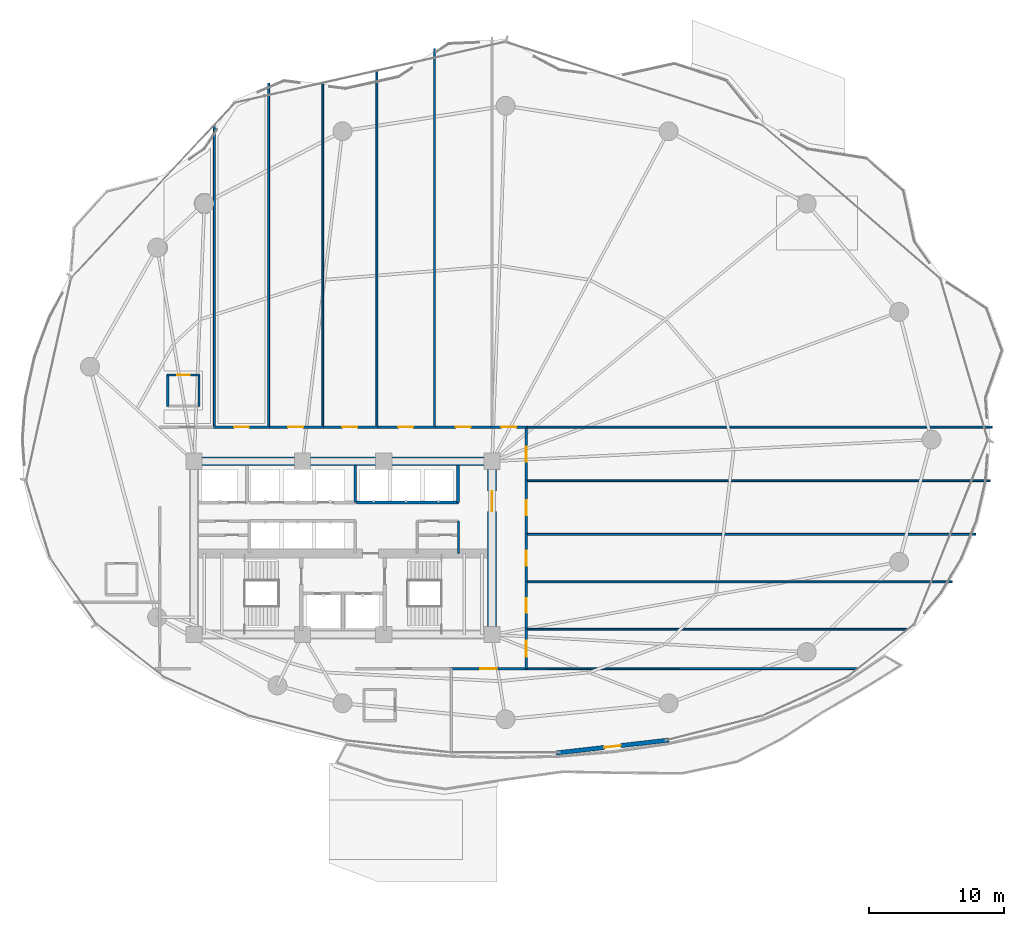
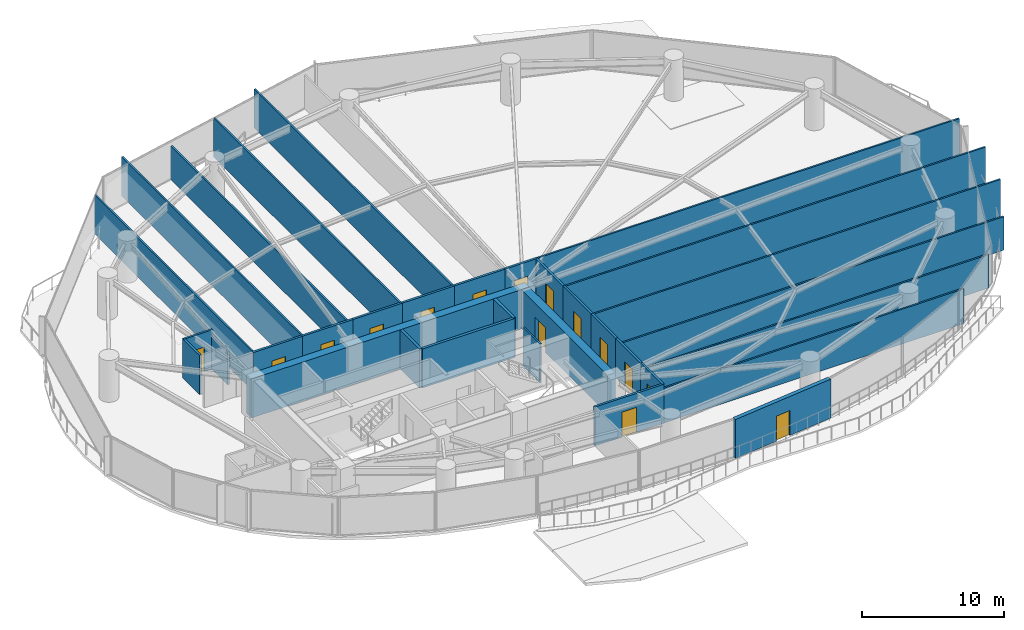
# One storey, part 26 of 32: 33 walls, 15 doors, 15 openings.
"""IFC4 building model written with IfcOpenShell, lengths in metres."""

from ifc_helpers import new_model, si_unit, direction, frame, frame_2d, origin, place, context, subcontext, project, spatial, rectangle, extrude, material, layer, layer_set, type_object, element, fill, save


model = new_model("IFC4")

# Units and contexts
model_context = context("Model", 3, precision=1e-05, world=origin(), true_north=direction((0.0, 1.0)))
body_context = subcontext(model_context, "Body", "Model", "MODEL_VIEW")
ifc_project = project(units=[si_unit("LENGTHUNIT", "METRE"), si_unit("AREAUNIT", "SQUARE_METRE"), si_unit("VOLUMEUNIT", "CUBIC_METRE"), si_unit("PLANEANGLEUNIT", "RADIAN"), si_unit("MASSUNIT", "GRAM", prefix="KILO")], contexts=[model_context])

# Site, building, storey
site_placement = place(None, origin())
site = spatial("IfcSite", under=ifc_project, at=site_placement, CompositionType="ELEMENT")
building_placement = place(site_placement, origin())
building = spatial("IfcBuilding", under=site, at=building_placement, Name="Kazevale Care Tower and Concert Hall", CompositionType="ELEMENT")
storey_placement = place(building_placement, frame((0.0, 0.0, 24.0)))
storey = spatial("IfcBuildingStorey", under=building, at=storey_placement, Name="L05", CompositionType="ELEMENT", Elevation=24.0)

# Walls
ifc_material_1 = material(Name="Acoustic Gypsum on Steel Stud", Category="steel")
ifc_layer_1 = layer(ifc_material_1, 0.139892578125)
ifc_layer_set_1 = layer_set([ifc_layer_1], Name="Acoustic Gypsum on Steel Stud")
wall_type_1 = type_object("IfcWallType", Name="Acoustic Care & Suite Partition 140", PredefinedType="PARTITIONING", material=ifc_layer_set_1)
wall_1_placement = place(storey_placement, frame((41.52001953125, 29.6201171875, 0.0), z_axis=(0.0, 0.0, 1.0), x_axis=(0.0, 1.0, 0.0)))
element("IfcWall", 1, at=wall_1_placement, inside=storey, type_object=wall_type_1, Name="wall:L05:kc_ee", PredefinedType="PARTITIONING", context=body_context, shape_type="SweptSolid", body=[
    extrude(rectangle(XDim=2.35986328125, YDim=0.139892578125, at=frame_2d((1.179931640625, 0.0))), origin(), (0.0, 0.0, 1.0), 3.360107421875),
])
wall_2_placement = place(storey_placement, frame((23.5, 61.2236328125, 0.0), z_axis=(0.0, 0.0, 1.0), x_axis=(0.0, -1.0, 0.0)))
element("IfcWall", 2, at=wall_2_placement, inside=storey, type_object=wall_type_1, Name="wall:L05:auto_018", PredefinedType="PARTITIONING", context=body_context, shape_type="SweptSolid", body=[
    extrude(rectangle(XDim=22.32861328125, YDim=0.139892578125, at=frame_2d((11.164306640625, 0.0))), origin(), (0.0, 0.0, 1.0), 3.360107421875),
])
wall_3_placement = place(storey_placement, frame((27.5, 64.322998046875, 0.0), z_axis=(0.0, 0.0, 1.0), x_axis=(0.0, -1.0, 0.0)))
element("IfcWall", 3, at=wall_3_placement, inside=storey, type_object=wall_type_1, Name="wall:L05:auto_019", PredefinedType="PARTITIONING", context=body_context, shape_type="SweptSolid", body=[
    extrude(rectangle(XDim=25.427978515625, YDim=0.139892578125, at=frame_2d((12.7138671875, 0.0))), origin(), (0.0, 0.0, 1.0), 3.360107421875),
])
wall_4_placement = place(storey_placement, frame((31.5, 64.323974609375, 0.0), z_axis=(0.0, 0.0, 1.0), x_axis=(0.0, -1.0, 0.0)))
element("IfcWall", 4, at=wall_4_placement, inside=storey, type_object=wall_type_1, Name="wall:L05:auto_020", PredefinedType="PARTITIONING", context=body_context, shape_type="SweptSolid", body=[
    extrude(rectangle(XDim=25.428955078125, YDim=0.139892578125, at=frame_2d((12.71435546875, 0.0))), origin(), (0.0, 0.0, 1.0), 2.889892578125),
])
wall_5_placement = place(storey_placement, frame((35.5, 65.2255859375, 0.0), z_axis=(0.0, 0.0, 1.0), x_axis=(0.0, -1.0, 0.0)))
element("IfcWall", 5, at=wall_5_placement, inside=storey, type_object=wall_type_1, Name="wall:L05:auto_021", PredefinedType="PARTITIONING", context=body_context, shape_type="SweptSolid", body=[
    extrude(rectangle(XDim=26.33056640625, YDim=0.139892578125, at=frame_2d((13.165283203125, 0.0))), origin(), (0.0, 0.0, 1.0), 3.360107421875),
])
wall_6_placement = place(storey_placement, frame((39.75, 66.85693359375, 0.0), z_axis=(0.0, 0.0, 1.0), x_axis=(0.0, -1.0, 0.0)))
element("IfcWall", 6, at=wall_6_placement, inside=storey, type_object=wall_type_1, Name="wall:L05:auto_022", PredefinedType="PARTITIONING", context=body_context, shape_type="SweptSolid", body=[
    extrude(rectangle(XDim=27.9619140625, YDim=0.139892578125, at=frame_2d((13.98095703125, 0.0))), origin(), (0.0, 0.0, 1.0), 3.360107421875),
])
wall_7_placement = place(storey_placement, frame((80.931884765625, 38.925048828125, 0.0), z_axis=(0.0, 0.0, 1.0), x_axis=(-1.0, 0.0, 0.0)))
element("IfcWall", 7, at=wall_7_placement, inside=storey, type_object=wall_type_1, Name="wall:L05:auto_024", PredefinedType="PARTITIONING", context=body_context, shape_type="SweptSolid", body=[
    extrude(rectangle(XDim=34.471923828125, YDim=0.139892578125, at=frame_2d((17.23583984375, 0.0))), origin(), (0.0, 0.0, 1.0), 3.360107421875),
])
wall_8_placement = place(storey_placement, frame((46.4951171875, 24.0, 0.0), z_axis=(0.0, 0.0, 1.0), x_axis=(1.0, 0.0, 0.0)))
element("IfcWall", 8, at=wall_8_placement, inside=storey, type_object=wall_type_1, Name="wall:L05:auto_025", PredefinedType="PARTITIONING", context=body_context, shape_type="SweptSolid", body=[
    extrude(rectangle(XDim=28.213623046875, YDim=0.139892578125, at=frame_2d((14.10693359375, 0.0))), origin(), (0.0, 0.0, 1.0), 2.889892578125),
])
wall_9_placement = place(storey_placement, frame((71.0107421875, 21.094482421875, 0.0), z_axis=(0.0, 0.0, 1.0), x_axis=(-0.999999682646, -0.000796685534, 0.0)))
element("IfcWall", 9, at=wall_9_placement, inside=storey, type_object=wall_type_1, Name="wall:L05:auto_026", PredefinedType="PARTITIONING", context=body_context, shape_type="SweptSolid", body=[
    extrude(rectangle(XDim=24.515625, YDim=0.139892578125, at=frame_2d((12.2578125, 0.0))), origin(), (0.0, 0.0, 1.0), 2.99609375),
])
wall_10_placement = place(storey_placement, frame((46.4951171875, 27.5, 0.0), z_axis=(0.0, 0.0, 1.0), x_axis=(1.0, 0.0, 0.0)))
element("IfcWall", 10, at=wall_10_placement, inside=storey, type_object=wall_type_1, Name="wall:L05:auto_027", PredefinedType="PARTITIONING", context=body_context, shape_type="SweptSolid", body=[
    extrude(rectangle(XDim=31.469970703125, YDim=0.139892578125, at=frame_2d((15.73486328125, 0.0))), origin(), (0.0, 0.0, 1.0), 2.889892578125),
])
wall_11_placement = place(storey_placement, frame((46.4951171875, 31.0, 0.0), z_axis=(0.0, 0.0, 1.0), x_axis=(1.0, 0.0, 0.0)))
element("IfcWall", 11, at=wall_11_placement, inside=storey, type_object=wall_type_1, Name="wall:L05:auto_028", PredefinedType="PARTITIONING", context=body_context, shape_type="SweptSolid", body=[
    extrude(rectangle(XDim=33.206787109375, YDim=0.139892578125, at=frame_2d((16.603515625, 0.0))), origin(), (0.0, 0.0, 1.0), 3.360107421875),
])
wall_12_placement = place(storey_placement, frame((46.4951171875, 34.9599609375, 0.0), z_axis=(0.0, 0.0, 1.0), x_axis=(1.0, 0.0, 0.0)))
element("IfcWall", 12, at=wall_12_placement, inside=storey, type_object=wall_type_1, Name="wall:L05:auto_029", PredefinedType="PARTITIONING", context=body_context, shape_type="SweptSolid", body=[
    extrude(rectangle(XDim=34.28076171875, YDim=0.139892578125, at=frame_2d((17.140380859375, 0.0))), origin(), (0.0, 0.0, 1.0), 3.360107421875),
])
ifc_material_2 = material(Name="Concrete C70", Category="concrete")
ifc_layer_2 = layer(ifc_material_2, 0.64990234375)
ifc_layer_set_2 = layer_set([ifc_layer_2], Name="Concrete C70")
wall_type_2 = type_object("IfcWallType", Name="Core Shear Wall 650 C70", PredefinedType="SHEAR", material=ifc_layer_set_2)
wall_13_placement = place(storey_placement, frame((21.675048828125, 36.39990234375, 0.0), z_axis=(0.0, 0.0, 1.0), x_axis=(1.0, 0.0, 0.0)))
element("IfcWall", 13, at=wall_13_placement, inside=storey, type_object=wall_type_2, Name="wall:L05:core:N", PredefinedType="SHEAR", context=body_context, shape_type="SweptSolid", body=[
    extrude(rectangle(XDim=22.64990234375, YDim=0.64990234375, at=frame_2d((11.324951171875, 0.0))), origin(), (0.0, 0.0, 1.0), 3.360107421875),
])

# Wall, opening, door
wall_14_placement = place(storey_placement, frame((44.0, 23.925048828125, 0.0), z_axis=(0.0, 0.0, 1.0), x_axis=(0.0, 1.0, 0.0)))
wall_14 = element("IfcWall", 14, at=wall_14_placement, inside=storey, type_object=wall_type_2, Name="wall:L05:core:E", PredefinedType="SHEAR", context=body_context, shape_type="SweptSolid", body=[
    extrude(rectangle(XDim=12.14990234375, YDim=0.64990234375, at=frame_2d((6.074951171875, 0.0))), origin(), (0.0, 0.0, 1.0), 3.360107421875),
])
opening_1_placement = place(wall_14_placement, frame((8.77490234375, 0.0, 0.0)))
opening_1 = element("IfcOpeningElement", 15, at=opening_1_placement, cuts=wall_14, Name="Opening FD-60D", PredefinedType="OPENING", context=body_context, shape_type="SweptSolid", body=[
    extrude(rectangle(XDim=1.5, YDim=2.14990234375, at=frame_2d((0.75, 1.074951171875))), frame((0.0, 0.3349609375, 0.0), z_axis=(0.0, -1.0, 0.0), x_axis=(1.0, 0.0, 0.0)), (0.0, 0.0, 1.0), 0.669921875),
])
ifc_material_3 = material(Name="Oak Timber Fire Leaf", Category="wood")
door_type_1 = type_object("IfcDoorType", Name="Double Lobby & Auditorium Fire Door 1500x2150", OperationType="NOTDEFINED", PredefinedType="DOOR", material=ifc_material_3)
door_1_placement = place(opening_1_placement, origin())
door_1 = element("IfcDoor", 16, at=door_1_placement, inside=storey, type_object=door_type_1, Name="door:L05:core_east_out", OperationType="DOUBLE_DOOR_SINGLE_SWING", OverallHeight=2.14990234375, OverallWidth=1.5, PredefinedType="DOOR", context=body_context, shape_type="SweptSolid", body=[
    extrude(rectangle(XDim=1.5, YDim=2.14990234375, at=frame_2d((0.75, 1.074951171875))), frame((0.0, 0.02490234375, 0.0), z_axis=(0.0, -1.0, 0.0), x_axis=(1.0, 0.0, 0.0)), (0.0, 0.0, 1.0), 0.050048828125),
])
fill(opening_1, door_1)

# Walls
ifc_material_4 = material(Name="Concrete C40", Category="concrete")
ifc_layer_3 = layer(ifc_material_4, 0.219970703125)
ifc_layer_set_3 = layer_set([ifc_layer_3], Name="Concrete C40")
wall_type_3 = type_object("IfcWallType", Name="Elevator Hoistway Shaft Wall 220", PredefinedType="SOLIDWALL", material=ifc_layer_set_3)
wall_15_placement = place(storey_placement, frame((33.89990234375, 33.35009765625, 0.0), z_axis=(0.0, 0.0, 1.0), x_axis=(0.0, 1.0, 0.0)))
element("IfcWall", 17, at=wall_15_placement, inside=storey, type_object=wall_type_3, Name="wall:L05:c_pl_e", PredefinedType="SOLIDWALL", context=body_context, shape_type="SweptSolid", body=[
    extrude(rectangle(XDim=2.72998046875, YDim=0.219970703125, at=frame_2d((1.364990234375, 0.0))), origin(), (0.0, 0.0, 1.0), 3.360107421875),
])
wall_16_placement = place(storey_placement, frame((33.97998046875, 33.35009765625, 0.0), z_axis=(0.0, 0.0, 1.0), x_axis=(1.0, 0.0, 0.0)))
element("IfcWall", 18, at=wall_16_placement, inside=storey, type_object=wall_type_3, Name="wall:L05:c_pm_s", PredefinedType="SOLIDWALL", context=body_context, shape_type="SweptSolid", body=[
    extrude(rectangle(XDim=7.5400390625, YDim=0.219970703125, at=frame_2d((3.77001953125, 0.0))), origin(), (0.0, 0.0, 1.0), 3.360107421875),
])
wall_17_placement = place(storey_placement, frame((41.5, 33.35009765625, 0.0), z_axis=(0.0, 0.0, 1.0), x_axis=(0.0, 1.0, 0.0)))
element("IfcWall", 19, at=wall_17_placement, inside=storey, type_object=wall_type_3, Name="wall:L05:c_pm_e", PredefinedType="SOLIDWALL", context=body_context, shape_type="SweptSolid", body=[
    extrude(rectangle(XDim=2.75, YDim=0.219970703125, at=frame_2d((1.375, 0.0))), origin(), (0.0, 0.0, 1.0), 3.360107421875),
])

# Wall, opening, door
ifc_material_5 = material(Name="Concrete C40 and Acoustic Gypsum", Category="concrete")
ifc_layer_4 = layer(ifc_material_5, 0.179931640625)
ifc_layer_set_4 = layer_set([ifc_layer_4], Name="Concrete C40 and Acoustic Gypsum")
wall_type_4 = type_object("IfcWallType", Name="Fire-Rated Corridor & Party Wall 180", PredefinedType="PARTITIONING", material=ifc_layer_set_4)
wall_18_placement = place(storey_placement, frame((23.43505859375, 38.925048828125, 0.0), z_axis=(0.0, 0.0, 1.0), x_axis=(1.0, 0.0, 0.0)))
wall_18 = element("IfcWall", 20, at=wall_18_placement, inside=storey, type_object=wall_type_4, Name="wall:L05:auto_002", PredefinedType="PARTITIONING", context=body_context, shape_type="SweptSolid", body=[
    extrude(rectangle(XDim=4.1298828125, YDim=0.179931640625, at=frame_2d((2.06494140625, 0.0))), origin(), (0.0, 0.0, 1.0), 3.360107421875),
])
opening_2_placement = place(wall_18_placement, frame((1.514892578125, 0.0, 0.0)))
opening_2 = element("IfcOpeningElement", 21, at=opening_2_placement, cuts=wall_18, Name="Opening ID-1100", PredefinedType="OPENING", context=body_context, shape_type="SweptSolid", body=[
    extrude(rectangle(XDim=1.10009765625, YDim=2.10009765625, at=frame_2d((0.550048828125, 1.050048828125))), frame((0.0, 0.099853515625, 0.0), z_axis=(0.0, -1.0, 0.0), x_axis=(1.0, 0.0, 0.0)), (0.0, 0.0, 1.0), 0.199951171875),
])
door_type_2 = type_object("IfcDoorType", Name="Care Bedroom Accessible Door 1100x2100", OperationType="NOTDEFINED", PredefinedType="DOOR", material=ifc_material_3)
door_2_placement = place(opening_2_placement, origin())
door_2 = element("IfcDoor", 22, at=door_2_placement, inside=storey, type_object=door_type_2, Name="door:L05:ad_002", OperationType="SINGLE_SWING_LEFT", OverallHeight=2.10009765625, OverallWidth=1.10009765625, PredefinedType="DOOR", context=body_context, shape_type="SweptSolid", body=[
    extrude(rectangle(XDim=1.10009765625, YDim=2.10009765625, at=frame_2d((0.550048828125, 1.050048828125))), frame((0.0, 0.02490234375, 0.0), z_axis=(0.0, -1.0, 0.0), x_axis=(1.0, 0.0, 0.0)), (0.0, 0.0, 1.0), 0.050048828125),
])
fill(opening_2, door_2)

wall_19_placement = place(storey_placement, frame((27.43505859375, 38.925048828125, 0.0), z_axis=(0.0, 0.0, 1.0), x_axis=(1.0, 0.0, 0.0)))
wall_19 = element("IfcWall", 23, at=wall_19_placement, inside=storey, type_object=wall_type_4, Name="wall:L05:auto_003", PredefinedType="PARTITIONING", context=body_context, shape_type="SweptSolid", body=[
    extrude(rectangle(XDim=4.1298828125, YDim=0.179931640625, at=frame_2d((2.06494140625, 0.0))), origin(), (0.0, 0.0, 1.0), 3.360107421875),
])
opening_3_placement = place(wall_19_placement, frame((1.514892578125, 0.0, 0.0)))
opening_3 = element("IfcOpeningElement", 24, at=opening_3_placement, cuts=wall_19, Name="Opening ID-1100", PredefinedType="OPENING", context=body_context, shape_type="SweptSolid", body=[
    extrude(rectangle(XDim=1.10009765625, YDim=2.10009765625, at=frame_2d((0.550048828125, 1.050048828125))), frame((0.0, 0.099853515625, 0.0), z_axis=(0.0, -1.0, 0.0), x_axis=(1.0, 0.0, 0.0)), (0.0, 0.0, 1.0), 0.199951171875),
])
door_3_placement = place(opening_3_placement, origin())
door_3 = element("IfcDoor", 25, at=door_3_placement, inside=storey, type_object=door_type_2, Name="door:L05:ad_003", OperationType="SINGLE_SWING_LEFT", OverallHeight=2.10009765625, OverallWidth=1.10009765625, PredefinedType="DOOR", context=body_context, shape_type="SweptSolid", body=[
    extrude(rectangle(XDim=1.10009765625, YDim=2.10009765625, at=frame_2d((0.550048828125, 1.050048828125))), frame((0.0, 0.02490234375, 0.0), z_axis=(0.0, -1.0, 0.0), x_axis=(1.0, 0.0, 0.0)), (0.0, 0.0, 1.0), 0.050048828125),
])
fill(opening_3, door_3)

wall_20_placement = place(storey_placement, frame((31.43505859375, 38.925048828125, 0.0), z_axis=(0.0, 0.0, 1.0), x_axis=(1.0, 0.0, 0.0)))
wall_20 = element("IfcWall", 26, at=wall_20_placement, inside=storey, type_object=wall_type_4, Name="wall:L05:auto_004", PredefinedType="PARTITIONING", context=body_context, shape_type="SweptSolid", body=[
    extrude(rectangle(XDim=4.1298828125, YDim=0.179931640625, at=frame_2d((2.06494140625, 0.0))), origin(), (0.0, 0.0, 1.0), 3.360107421875),
])
opening_4_placement = place(wall_20_placement, frame((1.514892578125, 0.0, 0.0)))
opening_4 = element("IfcOpeningElement", 27, at=opening_4_placement, cuts=wall_20, Name="Opening ID-1100", PredefinedType="OPENING", context=body_context, shape_type="SweptSolid", body=[
    extrude(rectangle(XDim=1.10009765625, YDim=2.10009765625, at=frame_2d((0.550048828125, 1.050048828125))), frame((0.0, 0.099853515625, 0.0), z_axis=(0.0, -1.0, 0.0), x_axis=(1.0, 0.0, 0.0)), (0.0, 0.0, 1.0), 0.199951171875),
])
door_4_placement = place(opening_4_placement, origin())
door_4 = element("IfcDoor", 28, at=door_4_placement, inside=storey, type_object=door_type_2, Name="door:L05:ad_004", OperationType="SINGLE_SWING_LEFT", OverallHeight=2.10009765625, OverallWidth=1.10009765625, PredefinedType="DOOR", context=body_context, shape_type="SweptSolid", body=[
    extrude(rectangle(XDim=1.10009765625, YDim=2.10009765625, at=frame_2d((0.550048828125, 1.050048828125))), frame((0.0, 0.02490234375, 0.0), z_axis=(0.0, -1.0, 0.0), x_axis=(1.0, 0.0, 0.0)), (0.0, 0.0, 1.0), 0.050048828125),
])
fill(opening_4, door_4)

wall_21_placement = place(storey_placement, frame((35.43505859375, 38.925048828125, 0.0), z_axis=(0.0, 0.0, 1.0), x_axis=(1.0, 0.0, 0.0)))
wall_21 = element("IfcWall", 29, at=wall_21_placement, inside=storey, type_object=wall_type_4, Name="wall:L05:auto_005", PredefinedType="PARTITIONING", context=body_context, shape_type="SweptSolid", body=[
    extrude(rectangle(XDim=4.3798828125, YDim=0.179931640625, at=frame_2d((2.18994140625, 0.0))), origin(), (0.0, 0.0, 1.0), 3.360107421875),
])
opening_5_placement = place(wall_21_placement, frame((1.639892578125, 0.0, 0.0)))
opening_5 = element("IfcOpeningElement", 30, at=opening_5_placement, cuts=wall_21, Name="Opening ID-1100", PredefinedType="OPENING", context=body_context, shape_type="SweptSolid", body=[
    extrude(rectangle(XDim=1.10009765625, YDim=2.10009765625, at=frame_2d((0.550048828125, 1.050048828125))), frame((0.0, 0.099853515625, 0.0), z_axis=(0.0, -1.0, 0.0), x_axis=(1.0, 0.0, 0.0)), (0.0, 0.0, 1.0), 0.199951171875),
])
door_5_placement = place(opening_5_placement, origin())
door_5 = element("IfcDoor", 31, at=door_5_placement, inside=storey, type_object=door_type_2, Name="door:L05:ad_005", OperationType="SINGLE_SWING_LEFT", OverallHeight=2.10009765625, OverallWidth=1.10009765625, PredefinedType="DOOR", context=body_context, shape_type="SweptSolid", body=[
    extrude(rectangle(XDim=1.10009765625, YDim=2.10009765625, at=frame_2d((0.550048828125, 1.050048828125))), frame((0.0, 0.02490234375, 0.0), z_axis=(0.0, -1.0, 0.0), x_axis=(1.0, 0.0, 0.0)), (0.0, 0.0, 1.0), 0.050048828125),
])
fill(opening_5, door_5)

wall_22_placement = place(storey_placement, frame((39.68505859375, 38.925048828125, 0.0), z_axis=(0.0, 0.0, 1.0), x_axis=(1.0, 0.0, 0.0)))
wall_22 = element("IfcWall", 32, at=wall_22_placement, inside=storey, type_object=wall_type_4, Name="wall:L05:auto_006", PredefinedType="PARTITIONING", context=body_context, shape_type="SweptSolid", body=[
    extrude(rectangle(XDim=4.3798828125, YDim=0.179931640625, at=frame_2d((2.18994140625, 0.0))), origin(), (0.0, 0.0, 1.0), 3.360107421875),
])
opening_6_placement = place(wall_22_placement, frame((1.639892578125, 0.0, 0.0)))
opening_6 = element("IfcOpeningElement", 33, at=opening_6_placement, cuts=wall_22, Name="Opening ID-1100", PredefinedType="OPENING", context=body_context, shape_type="SweptSolid", body=[
    extrude(rectangle(XDim=1.10009765625, YDim=2.10009765625, at=frame_2d((0.550048828125, 1.050048828125))), frame((0.0, 0.099853515625, 0.0), z_axis=(0.0, -1.0, 0.0), x_axis=(1.0, 0.0, 0.0)), (0.0, 0.0, 1.0), 0.199951171875),
])
door_6_placement = place(opening_6_placement, origin())
door_6 = element("IfcDoor", 34, at=door_6_placement, inside=storey, type_object=door_type_2, Name="door:L05:ad_006", OperationType="SINGLE_SWING_LEFT", OverallHeight=2.10009765625, OverallWidth=1.10009765625, PredefinedType="DOOR", context=body_context, shape_type="SweptSolid", body=[
    extrude(rectangle(XDim=1.10009765625, YDim=2.10009765625, at=frame_2d((0.550048828125, 1.050048828125))), frame((0.0, 0.02490234375, 0.0), z_axis=(0.0, -1.0, 0.0), x_axis=(1.0, 0.0, 0.0)), (0.0, 0.0, 1.0), 0.050048828125),
])
fill(opening_6, door_6)

wall_23_placement = place(storey_placement, frame((43.93505859375, 38.925048828125, 0.0), z_axis=(0.0, 0.0, 1.0), x_axis=(1.0, 0.0, 0.0)))
wall_23 = element("IfcWall", 35, at=wall_23_placement, inside=storey, type_object=wall_type_4, Name="wall:L05:auto_007", PredefinedType="PARTITIONING", context=body_context, shape_type="SweptSolid", body=[
    extrude(rectangle(XDim=2.619873046875, YDim=0.179931640625, at=frame_2d((1.31005859375, 0.0))), origin(), (0.0, 0.0, 1.0), 3.360107421875),
])
opening_7_placement = place(wall_23_placement, frame((0.760009765625, 0.0, 0.0)))
opening_7 = element("IfcOpeningElement", 36, at=opening_7_placement, cuts=wall_23, Name="Opening ID-1100", PredefinedType="OPENING", context=body_context, shape_type="SweptSolid", body=[
    extrude(rectangle(XDim=1.10009765625, YDim=2.10009765625, at=frame_2d((0.550048828125, 1.050048828125))), frame((0.0, 0.099853515625, 0.0), z_axis=(0.0, -1.0, 0.0), x_axis=(1.0, 0.0, 0.0)), (0.0, 0.0, 1.0), 0.199951171875),
])
door_7_placement = place(opening_7_placement, origin())
door_7 = element("IfcDoor", 37, at=door_7_placement, inside=storey, type_object=door_type_2, Name="door:L05:ad_007", OperationType="SINGLE_SWING_LEFT", OverallHeight=2.10009765625, OverallWidth=1.10009765625, PredefinedType="DOOR", context=body_context, shape_type="SweptSolid", body=[
    extrude(rectangle(XDim=1.10009765625, YDim=2.10009765625, at=frame_2d((0.550048828125, 1.050048828125))), frame((0.0, 0.02490234375, 0.0), z_axis=(0.0, -1.0, 0.0), x_axis=(1.0, 0.0, 0.0)), (0.0, 0.0, 1.0), 0.050048828125),
])
fill(opening_7, door_7)

wall_24_placement = place(storey_placement, frame((46.52490234375, 24.06494140625, 0.0), z_axis=(0.0, 0.0, 1.0), x_axis=(0.0, -1.0, 0.0)))
wall_24 = element("IfcWall", 38, at=wall_24_placement, inside=storey, type_object=wall_type_4, Name="wall:L05:auto_008", PredefinedType="PARTITIONING", context=body_context, shape_type="SweptSolid", body=[
    extrude(rectangle(XDim=3.02001953125, YDim=0.179931640625, at=frame_2d((1.510009765625, 0.0))), origin(), (0.0, 0.0, 1.0), 3.360107421875),
])
opening_8_placement = place(wall_24_placement, frame((0.909912109375, 0.0, 0.0)))
opening_8 = element("IfcOpeningElement", 39, at=opening_8_placement, cuts=wall_24, Name="Opening ID-1200", PredefinedType="OPENING", context=body_context, shape_type="SweptSolid", body=[
    extrude(rectangle(XDim=1.199951171875, YDim=2.14990234375, at=frame_2d((0.60009765625, 1.074951171875))), frame((0.0, 0.099853515625, 0.0), z_axis=(0.0, -1.0, 0.0), x_axis=(1.0, 0.0, 0.0)), (0.0, 0.0, 1.0), 0.199951171875),
])
door_type_3 = type_object("IfcDoorType", Name="Clinical & Therapy Door 1200x2150", OperationType="NOTDEFINED", PredefinedType="DOOR", material=ifc_material_3)
door_8_placement = place(opening_8_placement, origin())
door_8 = element("IfcDoor", 40, at=door_8_placement, inside=storey, type_object=door_type_3, Name="door:L05:ad_008", OperationType="SINGLE_SWING_LEFT", OverallHeight=2.14990234375, OverallWidth=1.199951171875, PredefinedType="DOOR", context=body_context, shape_type="SweptSolid", body=[
    extrude(rectangle(XDim=1.199951171875, YDim=2.14990234375, at=frame_2d((0.60009765625, 1.074951171875))), frame((0.0, 0.02490234375, 0.0), z_axis=(0.0, -1.0, 0.0), x_axis=(1.0, 0.0, 0.0)), (0.0, 0.0, 1.0), 0.050048828125),
])
fill(opening_8, door_8)

wall_25_placement = place(storey_placement, frame((46.52490234375, 27.56494140625, 0.0), z_axis=(0.0, 0.0, 1.0), x_axis=(0.0, -1.0, 0.0)))
wall_25 = element("IfcWall", 41, at=wall_25_placement, inside=storey, type_object=wall_type_4, Name="wall:L05:auto_009", PredefinedType="PARTITIONING", context=body_context, shape_type="SweptSolid", body=[
    extrude(rectangle(XDim=3.6298828125, YDim=0.179931640625, at=frame_2d((1.81494140625, 0.0))), origin(), (0.0, 0.0, 1.0), 3.360107421875),
])
opening_9_placement = place(wall_25_placement, frame((1.264892578125, 0.0, 0.0)))
opening_9 = element("IfcOpeningElement", 42, at=opening_9_placement, cuts=wall_25, Name="Opening ID-1100", PredefinedType="OPENING", context=body_context, shape_type="SweptSolid", body=[
    extrude(rectangle(XDim=1.10009765625, YDim=2.10009765625, at=frame_2d((0.550048828125, 1.050048828125))), frame((0.0, 0.099853515625, 0.0), z_axis=(0.0, -1.0, 0.0), x_axis=(1.0, 0.0, 0.0)), (0.0, 0.0, 1.0), 0.199951171875),
])
door_9_placement = place(opening_9_placement, origin())
door_9 = element("IfcDoor", 43, at=door_9_placement, inside=storey, type_object=door_type_2, Name="door:L05:ad_009", OperationType="SINGLE_SWING_LEFT", OverallHeight=2.10009765625, OverallWidth=1.10009765625, PredefinedType="DOOR", context=body_context, shape_type="SweptSolid", body=[
    extrude(rectangle(XDim=1.10009765625, YDim=2.10009765625, at=frame_2d((0.550048828125, 1.050048828125))), frame((0.0, 0.02490234375, 0.0), z_axis=(0.0, -1.0, 0.0), x_axis=(1.0, 0.0, 0.0)), (0.0, 0.0, 1.0), 0.050048828125),
])
fill(opening_9, door_9)

wall_26_placement = place(storey_placement, frame((46.52490234375, 31.06494140625, 0.0), z_axis=(0.0, 0.0, 1.0), x_axis=(0.0, -1.0, 0.0)))
wall_26 = element("IfcWall", 44, at=wall_26_placement, inside=storey, type_object=wall_type_4, Name="wall:L05:auto_010", PredefinedType="PARTITIONING", context=body_context, shape_type="SweptSolid", body=[
    extrude(rectangle(XDim=3.6298828125, YDim=0.179931640625, at=frame_2d((1.81494140625, 0.0))), origin(), (0.0, 0.0, 1.0), 3.360107421875),
])
opening_10_placement = place(wall_26_placement, frame((1.264892578125, 0.0, 0.0)))
opening_10 = element("IfcOpeningElement", 45, at=opening_10_placement, cuts=wall_26, Name="Opening ID-1100", PredefinedType="OPENING", context=body_context, shape_type="SweptSolid", body=[
    extrude(rectangle(XDim=1.10009765625, YDim=2.10009765625, at=frame_2d((0.550048828125, 1.050048828125))), frame((0.0, 0.099853515625, 0.0), z_axis=(0.0, -1.0, 0.0), x_axis=(1.0, 0.0, 0.0)), (0.0, 0.0, 1.0), 0.199951171875),
])
door_10_placement = place(opening_10_placement, origin())
door_10 = element("IfcDoor", 46, at=door_10_placement, inside=storey, type_object=door_type_2, Name="door:L05:ad_010", OperationType="SINGLE_SWING_LEFT", OverallHeight=2.10009765625, OverallWidth=1.10009765625, PredefinedType="DOOR", context=body_context, shape_type="SweptSolid", body=[
    extrude(rectangle(XDim=1.10009765625, YDim=2.10009765625, at=frame_2d((0.550048828125, 1.050048828125))), frame((0.0, 0.02490234375, 0.0), z_axis=(0.0, -1.0, 0.0), x_axis=(1.0, 0.0, 0.0)), (0.0, 0.0, 1.0), 0.050048828125),
])
fill(opening_10, door_10)

wall_27_placement = place(storey_placement, frame((46.52490234375, 35.02490234375, 0.0), z_axis=(0.0, 0.0, 1.0), x_axis=(0.0, -1.0, 0.0)))
wall_27 = element("IfcWall", 47, at=wall_27_placement, inside=storey, type_object=wall_type_4, Name="wall:L05:auto_011", PredefinedType="PARTITIONING", context=body_context, shape_type="SweptSolid", body=[
    extrude(rectangle(XDim=4.08984375, YDim=0.179931640625, at=frame_2d((2.044921875, 0.0))), origin(), (0.0, 0.0, 1.0), 3.360107421875),
])
opening_11_placement = place(wall_27_placement, frame((1.4951171875, 0.0, 0.0)))
opening_11 = element("IfcOpeningElement", 48, at=opening_11_placement, cuts=wall_27, Name="Opening ID-1100", PredefinedType="OPENING", context=body_context, shape_type="SweptSolid", body=[
    extrude(rectangle(XDim=1.10009765625, YDim=2.10009765625, at=frame_2d((0.550048828125, 1.050048828125))), frame((0.0, 0.099853515625, 0.0), z_axis=(0.0, -1.0, 0.0), x_axis=(1.0, 0.0, 0.0)), (0.0, 0.0, 1.0), 0.199951171875),
])
door_11_placement = place(opening_11_placement, origin())
door_11 = element("IfcDoor", 49, at=door_11_placement, inside=storey, type_object=door_type_2, Name="door:L05:ad_011", OperationType="SINGLE_SWING_LEFT", OverallHeight=2.10009765625, OverallWidth=1.10009765625, PredefinedType="DOOR", context=body_context, shape_type="SweptSolid", body=[
    extrude(rectangle(XDim=1.10009765625, YDim=2.10009765625, at=frame_2d((0.550048828125, 1.050048828125))), frame((0.0, 0.02490234375, 0.0), z_axis=(0.0, -1.0, 0.0), x_axis=(1.0, 0.0, 0.0)), (0.0, 0.0, 1.0), 0.050048828125),
])
fill(opening_11, door_11)

wall_28_placement = place(storey_placement, frame((46.52490234375, 38.955078125, 0.0), z_axis=(0.0, 0.0, 1.0), x_axis=(0.0, -1.0, 0.0)))
wall_28 = element("IfcWall", 50, at=wall_28_placement, inside=storey, type_object=wall_type_4, Name="wall:L05:auto_012", PredefinedType="PARTITIONING", context=body_context, shape_type="SweptSolid", body=[
    extrude(rectangle(XDim=4.06005859375, YDim=0.179931640625, at=frame_2d((2.030029296875, 0.0))), origin(), (0.0, 0.0, 1.0), 3.360107421875),
])
opening_12_placement = place(wall_28_placement, frame((1.47998046875, 0.0, 0.0)))
opening_12 = element("IfcOpeningElement", 51, at=opening_12_placement, cuts=wall_28, Name="Opening ID-1100", PredefinedType="OPENING", context=body_context, shape_type="SweptSolid", body=[
    extrude(rectangle(XDim=1.10009765625, YDim=2.10009765625, at=frame_2d((0.550048828125, 1.050048828125))), frame((0.0, 0.099853515625, 0.0), z_axis=(0.0, -1.0, 0.0), x_axis=(1.0, 0.0, 0.0)), (0.0, 0.0, 1.0), 0.199951171875),
])
door_12_placement = place(opening_12_placement, origin())
door_12 = element("IfcDoor", 52, at=door_12_placement, inside=storey, type_object=door_type_2, Name="door:L05:ad_012", OperationType="SINGLE_SWING_LEFT", OverallHeight=2.10009765625, OverallWidth=1.10009765625, PredefinedType="DOOR", context=body_context, shape_type="SweptSolid", body=[
    extrude(rectangle(XDim=1.10009765625, YDim=2.10009765625, at=frame_2d((0.550048828125, 1.050048828125))), frame((0.0, 0.02490234375, 0.0), z_axis=(0.0, -1.0, 0.0), x_axis=(1.0, 0.0, 0.0)), (0.0, 0.0, 1.0), 0.050048828125),
])
fill(opening_12, door_12)

wall_29_placement = place(storey_placement, frame((46.554931640625, 21.074951171875, 0.0), z_axis=(0.0, 0.0, 1.0), x_axis=(-1.0, 0.0, 0.0)))
wall_29 = element("IfcWall", 53, at=wall_29_placement, inside=storey, type_object=wall_type_4, Name="wall:L05:auto_014", PredefinedType="PARTITIONING", context=body_context, shape_type="SweptSolid", body=[
    extrude(rectangle(XDim=5.619873046875, YDim=0.179931640625, at=frame_2d((2.81005859375, 0.0))), origin(), (0.0, 0.0, 1.0), 3.360107421875),
])
opening_13_placement = place(wall_29_placement, frame((2.2099609375, 0.0, 0.0)))
opening_13 = element("IfcOpeningElement", 54, at=opening_13_placement, cuts=wall_29, Name="Opening ID-1200", PredefinedType="OPENING", context=body_context, shape_type="SweptSolid", body=[
    extrude(rectangle(XDim=1.199951171875, YDim=2.14990234375, at=frame_2d((0.60009765625, 1.074951171875))), frame((0.0, 0.099853515625, 0.0), z_axis=(0.0, -1.0, 0.0), x_axis=(1.0, 0.0, 0.0)), (0.0, 0.0, 1.0), 0.199951171875),
])
door_13_placement = place(opening_13_placement, origin())
door_13 = element("IfcDoor", 55, at=door_13_placement, inside=storey, type_object=door_type_3, Name="door:L05:ad_014", OperationType="SINGLE_SWING_LEFT", OverallHeight=2.14990234375, OverallWidth=1.199951171875, PredefinedType="DOOR", context=body_context, shape_type="SweptSolid", body=[
    extrude(rectangle(XDim=1.199951171875, YDim=2.14990234375, at=frame_2d((0.60009765625, 1.074951171875))), frame((0.0, 0.02490234375, 0.0), z_axis=(0.0, -1.0, 0.0), x_axis=(1.0, 0.0, 0.0)), (0.0, 0.0, 1.0), 0.050048828125),
])
fill(opening_13, door_13)

ifc_layer_5 = layer(ifc_material_1, 0.159912109375)
ifc_layer_set_5 = layer_set([ifc_layer_5], Name="Acoustic Gypsum on Steel Stud")
wall_type_5 = type_object("IfcWallType", Name="Moisture-Resistant Bathroom Plumbing Wall 160", PredefinedType="PLUMBINGWALL", material=ifc_layer_set_5)
wall_30_placement = place(storey_placement, frame((20.010009765625, 42.77490234375, 0.0), z_axis=(0.0, 0.0, 1.0), x_axis=(1.0, 0.0, 0.0)))
wall_30 = element("IfcWall", 56, at=wall_30_placement, inside=storey, type_object=wall_type_5, Name="wall:L05:nb2a_ens_wn", PredefinedType="PLUMBINGWALL", context=body_context, shape_type="SweptSolid", body=[
    extrude(rectangle(XDim=2.3798828125, YDim=0.159912109375, at=frame_2d((1.18994140625, 0.0))), origin(), (0.0, 0.0, 1.0), 3.360107421875),
])
opening_14_placement = place(wall_30_placement, frame((0.739990234375, 0.0, 0.0)))
opening_14 = element("IfcOpeningElement", 57, at=opening_14_placement, cuts=wall_30, Name="Opening ID-900", PredefinedType="OPENING", context=body_context, shape_type="SweptSolid", body=[
    extrude(rectangle(XDim=0.919921875, YDim=2.10009765625, at=frame_2d((0.4599609375, 1.050048828125))), frame((0.0, 0.08984375, 0.0), z_axis=(0.0, -1.0, 0.0), x_axis=(1.0, 0.0, 0.0)), (0.0, 0.0, 1.0), 0.179931640625),
])
door_type_4 = type_object("IfcDoorType", Name="Bathroom & Service Door 920x2100", OperationType="NOTDEFINED", PredefinedType="DOOR", material=ifc_material_3)
door_14_placement = place(opening_14_placement, origin())
door_14 = element("IfcDoor", 58, at=door_14_placement, inside=storey, type_object=door_type_4, Name="door:L05:nb2a_ens_d", OperationType="SINGLE_SWING_LEFT", OverallHeight=2.10009765625, OverallWidth=0.919921875, PredefinedType="DOOR", context=body_context, shape_type="SweptSolid", body=[
    extrude(rectangle(XDim=0.919921875, YDim=2.10009765625, at=frame_2d((0.4599609375, 1.050048828125))), frame((0.0, 0.02490234375, 0.0), z_axis=(0.0, -1.0, 0.0), x_axis=(1.0, 0.0, 0.0)), (0.0, 0.0, 1.0), 0.050048828125),
])
fill(opening_14, door_14)

# Walls
wall_31_placement = place(storey_placement, frame((20.050048828125, 40.43505859375, 0.0), z_axis=(0.0, 0.0, 1.0), x_axis=(0.0, 1.0, 0.0)))
element("IfcWall", 59, at=wall_31_placement, inside=storey, type_object=wall_type_5, Name="wall:L05:nb2a_ens_ww", PredefinedType="PLUMBINGWALL", context=body_context, shape_type="SweptSolid", body=[
    extrude(rectangle(XDim=2.3798828125, YDim=0.159912109375, at=frame_2d((1.18994140625, 0.0))), origin(), (0.0, 0.0, 1.0), 3.360107421875),
])
wall_32_placement = place(storey_placement, frame((22.35009765625, 40.43505859375, 0.0), z_axis=(0.0, 0.0, 1.0), x_axis=(0.0, 1.0, 0.0)))
element("IfcWall", 60, at=wall_32_placement, inside=storey, type_object=wall_type_5, Name="wall:L05:nb2a_ens_we", PredefinedType="PLUMBINGWALL", context=body_context, shape_type="SweptSolid", body=[
    extrude(rectangle(XDim=2.3798828125, YDim=0.159912109375, at=frame_2d((1.18994140625, 0.0))), origin(), (0.0, 0.0, 1.0), 2.889892578125),
])

# Wall, opening, door
ifc_material_6 = material(Name="Concrete C40 with Honed Limestone Cladding", Category="masonry")
ifc_layer_6 = layer(ifc_material_6, 0.320068359375)
ifc_layer_set_6 = layer_set([ifc_layer_6], Name="Concrete C40 with Honed Limestone Cladding")
wall_type_6 = type_object("IfcWallType", Name="Tower Honed Limestone Spandrel Wall 320", PredefinedType="STANDARD", material=ifc_layer_set_6)
wall_33_placement = place(storey_placement, frame((57.050048828125, 15.81201171875, 0.0), z_axis=(0.0, 0.0, 1.0), x_axis=(-0.993503192468, -0.113804246649, 0.0)))
wall_33 = element("IfcWall", 61, at=wall_33_placement, inside=storey, type_object=wall_type_6, Name="wall:L05:bal_host", PredefinedType="STANDARD", context=body_context, shape_type="SweptSolid", body=[
    extrude(rectangle(XDim=8.364501953125, YDim=0.320068359375, at=frame_2d((4.18212890625, 0.0))), origin(), (0.0, 0.0, 1.0), 3.360107421875),
])
opening_15_placement = place(wall_33_placement, frame((3.58203125, 0.0, 0.0)))
opening_15 = element("IfcOpeningElement", 62, at=opening_15_placement, cuts=wall_33, Name="Opening BD-1200", PredefinedType="OPENING", context=body_context, shape_type="SweptSolid", body=[
    extrude(rectangle(XDim=1.199951171875, YDim=2.14990234375, at=frame_2d((0.60009765625, 1.074951171875))), frame((0.0, 0.169921875, 0.0), z_axis=(0.0, -1.0, 0.0), x_axis=(1.0, 0.0, 0.0)), (0.0, 0.0, 1.0), 0.340087890625),
])
ifc_material_7 = material(Name="Aluminium 6063-T6 and Low-E Glass", Category="aluminium")
door_type_5 = type_object("IfcDoorType", Name="Sheltered Balcony Glazed Door 1200x2150", OperationType="NOTDEFINED", PredefinedType="DOOR", material=ifc_material_7)
door_15_placement = place(opening_15_placement, origin())
door_15 = element("IfcDoor", 63, at=door_15_placement, inside=storey, type_object=door_type_5, Name="door:L05:BD-1", OperationType="SINGLE_SWING_LEFT", OverallHeight=2.14990234375, OverallWidth=1.199951171875, PredefinedType="DOOR", context=body_context, shape_type="SweptSolid", body=[
    extrude(rectangle(XDim=1.199951171875, YDim=2.14990234375, at=frame_2d((0.60009765625, 1.074951171875))), frame((0.0, 0.02490234375, 0.0), z_axis=(0.0, -1.0, 0.0), x_axis=(1.0, 0.0, 0.0)), (0.0, 0.0, 1.0), 0.050048828125),
])
fill(opening_15, door_15)

save(model, "model.ifc")
